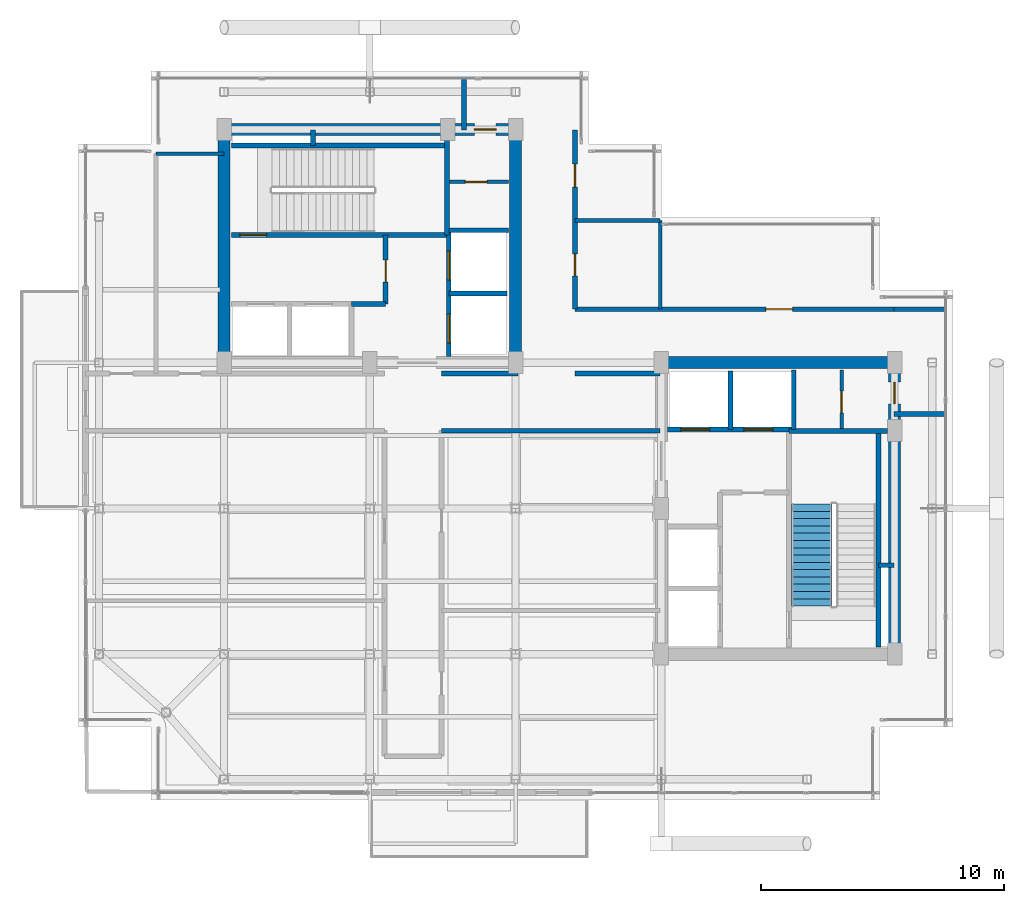
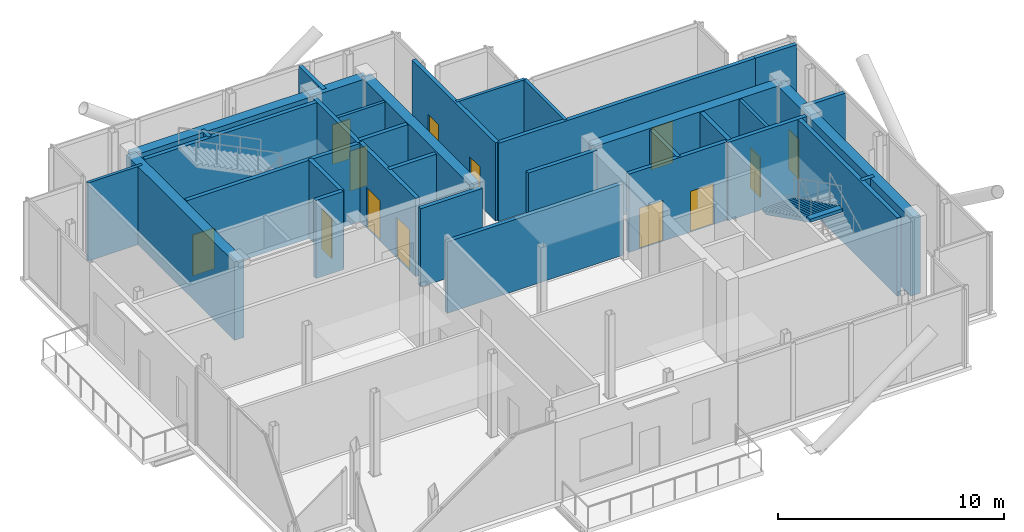
# One storey, part 13 of 16: 33 walls, 13 doors, 1 stair flight, 13 openings, 1 element without a shape of its own.
"""IFC4 building model written with IfcOpenShell, lengths in metres."""

from ifc_helpers import new_model, si_unit, direction, frame, frame_2d, origin, place, context, subcontext, project, spatial, polyline, rectangle, outline, extrude, material, layer, layer_set, type_object, element, fill, aggregate, save


model = new_model("IFC4")

# Units and contexts
model_context = context("Model", 3, precision=1e-05, world=origin(), true_north=direction((0.0, 1.0)))
body_context = subcontext(model_context, "Body", "Model", "MODEL_VIEW")
ifc_project = project(units=[si_unit("LENGTHUNIT", "METRE"), si_unit("AREAUNIT", "SQUARE_METRE"), si_unit("VOLUMEUNIT", "CUBIC_METRE"), si_unit("PLANEANGLEUNIT", "RADIAN"), si_unit("MASSUNIT", "GRAM", prefix="KILO"), si_unit("THERMODYNAMICTEMPERATUREUNIT", "KELVIN"), si_unit("POWERUNIT", "WATT")], contexts=[model_context])

# Site, building, storey
site_placement = place(None, origin())
site = spatial("IfcSite", under=ifc_project, at=site_placement, CompositionType="ELEMENT")
building_placement = place(site_placement, origin())
building = spatial("IfcBuilding", under=site, at=building_placement, Name="Svarakhadi Broadcast Tower", CompositionType="ELEMENT")
storey_placement = place(building_placement, frame((0.0, 0.0, 296.39990234375)))
storey = spatial("IfcBuildingStorey", under=building, at=storey_placement, Name="L75", CompositionType="ELEMENT", Elevation=296.39990234375)

# Walls
ifc_material_1 = material(Name="Concrete C40/50 (IS 456 M50)", Category="concrete")
ifc_layer_1 = layer(ifc_material_1, 0.199951171875)
ifc_layer_set_1 = layer_set([ifc_layer_1], Name="Concrete C40/50 (IS 456 M50)")
wall_type_1 = type_object("IfcWallType", Name="Wall_Fire_200", PredefinedType="SOLIDWALL", material=ifc_layer_set_1)
for number, where, z_axis, x_axis, name in (
    (1, (9.659912109375, 26.93994140625, 0.0), (0.0, 0.0, 1.0), (0.0, 1.0, 0.0), "L75 Wet Riser Shaft East Wall"),
    (2, (32.93994140625, 9.659912109375, 0.0), (0.0, 0.0, 1.0), (1.0, 0.0, 0.0), "L75 HV Busduct Riser Shaft North Wall"),
):
    element("IfcWall", number, at=place(storey_placement, frame(where, z_axis=z_axis, x_axis=x_axis)), inside=storey, type_object=wall_type_1, Name=name, PredefinedType="SOLIDWALL", context=body_context, shape_type="SweptSolid", body=[
        extrude(rectangle(XDim=0.64013671875, YDim=0.199951171875, at=frame_2d((0.320068359375, 0.0))), origin(), (0.0, 0.0, 1.0), 4.22509765625),
    ])
wall_1_placement = place(storey_placement, frame((14.949951171875, 17.550048828125, 0.0), z_axis=(0.0, 0.0, 1.0), x_axis=(1.0, 0.0, 0.0)))
element("IfcWall", 3, at=wall_1_placement, inside=storey, type_object=wall_type_1, Name="L75 Upper Tower Concourse Wall", PredefinedType="SOLIDWALL", context=body_context, shape_type="SweptSolid", body=[
    extrude(rectangle(XDim=3.150146484375, YDim=0.199951171875, at=frame_2d((1.5751953125, 0.0))), origin(), (0.0, 0.0, 1.0), 4.22509765625),
])
wall_2_placement = place(storey_placement, frame((15.8798828125, 27.580078125, 0.0), z_axis=(0.0, 0.0, 1.0), x_axis=(0.0, 1.0, 0.0)))
element("IfcWall", 4, at=wall_2_placement, inside=storey, type_object=wall_type_1, Name="L75 Upper Tower Concourse Wall", PredefinedType="SOLIDWALL", context=body_context, shape_type="SweptSolid", body=[
    extrude(rectangle(XDim=2.119873046875, YDim=0.199951171875, at=frame_2d((1.06005859375, 0.0))), origin(), (0.0, 0.0, 1.0), 4.22509765625),
])

# Wall, openings, doors
wall_3_placement = place(storey_placement, frame((20.449951171875, 27.580078125, 0.0), z_axis=(0.0, 0.0, 1.0), x_axis=(0.0, -1.0, 0.0)))
wall_3 = element("IfcWall", 5, at=wall_3_placement, inside=storey, type_object=wall_type_1, Name="L75 Upper Tower Concourse Wall", PredefinedType="SOLIDWALL", context=body_context, shape_type="SweptSolid", body=[
    extrude(rectangle(XDim=7.380126953125, YDim=0.199951171875, at=frame_2d((3.68994140625, 0.0))), origin(), (0.0, 0.0, 1.0), 4.22509765625),
])
opening_1_placement = place(wall_3_placement, frame((5.10498046875, 0.0, 0.0)))
opening_1 = element("IfcOpeningElement", 6, at=opening_1_placement, cuts=wall_3, Name="Opening D-12", PredefinedType="OPENING", context=body_context, shape_type="SweptSolid", body=[
    extrude(rectangle(XDim=0.89990234375, YDim=2.10009765625, at=frame_2d((0.449951171875, 1.050048828125))), frame((0.0, 0.10986328125, 0.0), z_axis=(0.0, -1.0, 0.0), x_axis=(1.0, 0.0, 0.0)), (0.0, 0.0, 1.0), 0.219970703125),
])
opening_2_placement = place(wall_3_placement, frame((1.405029296875, 0.0, 0.0)))
opening_2 = element("IfcOpeningElement", 7, at=opening_2_placement, cuts=wall_3, Name="Opening D-07", PredefinedType="OPENING", context=body_context, shape_type="SweptSolid", body=[
    extrude(rectangle(XDim=0.949951171875, YDim=2.14990234375, at=frame_2d((0.47509765625, 1.074951171875))), frame((0.0, 0.10986328125, 0.0), z_axis=(0.0, -1.0, 0.0), x_axis=(1.0, 0.0, 0.0)), (0.0, 0.0, 1.0), 0.219970703125),
])
ifc_material_2 = material(Name="Solid-Core Teak Veneer Acoustic Timber Leaf", Category="wood")
door_type_1 = type_object("IfcDoorType", Name="Door_Office_D07", OperationType="SINGLE_SWING_RIGHT", PredefinedType="DOOR", material=ifc_material_2)
door_1_placement = place(opening_2_placement, origin())
door_1 = element("IfcDoor", 8, at=door_1_placement, inside=storey, type_object=door_type_1, Name="L75 Hotel Butler Service Pantry Door", OperationType="SINGLE_SWING_RIGHT", OverallHeight=2.14990234375, OverallWidth=0.949951171875, PredefinedType="DOOR", context=body_context, shape_type="SweptSolid", body=[
    extrude(rectangle(XDim=0.949951171875, YDim=2.14990234375, at=frame_2d((0.47509765625, 1.074951171875))), frame((0.0, 0.02490234375, 0.0), z_axis=(0.0, -1.0, 0.0), x_axis=(1.0, 0.0, 0.0)), (0.0, 0.0, 1.0), 0.050048828125),
])
fill(opening_2, door_1)
door_type_2 = type_object("IfcDoorType", Name="Door_WC_D01", OperationType="SINGLE_SWING_LEFT", PredefinedType="DOOR", material=ifc_material_2)
door_2_placement = place(opening_1_placement, origin())
door_2 = element("IfcDoor", 9, at=door_2_placement, inside=storey, type_object=door_type_2, Name="L75 Accessible Visitor Washroom WC Door", OperationType="SINGLE_SWING_LEFT", OverallHeight=2.10009765625, OverallWidth=0.89990234375, PredefinedType="DOOR", context=body_context, shape_type="SweptSolid", body=[
    extrude(rectangle(XDim=0.89990234375, YDim=2.10009765625, at=frame_2d((0.449951171875, 1.050048828125))), frame((0.0, 0.02490234375, 0.0), z_axis=(0.0, -1.0, 0.0), x_axis=(1.0, 0.0, 0.0)), (0.0, 0.0, 1.0), 0.050048828125),
])
fill(opening_1, door_2)

# Wall, opening, door
wall_4_placement = place(storey_placement, frame((20.449951171875, 20.199951171875, 0.0), z_axis=(0.0, 0.0, 1.0), x_axis=(1.0, 0.0, 0.0)))
wall_4 = element("IfcWall", 10, at=wall_4_placement, inside=storey, type_object=wall_type_1, Name="L75 Upper Tower Concourse Wall", PredefinedType="SOLIDWALL", context=body_context, shape_type="SweptSolid", body=[
    extrude(rectangle(XDim=13.130126953125, YDim=0.199951171875, at=frame_2d((6.56494140625, 0.0))), origin(), (0.0, 0.0, 1.0), 4.22509765625),
])
opening_3_placement = place(wall_4_placement, frame((7.85009765625, 0.0, 0.0)))
opening_3 = element("IfcOpeningElement", 11, at=opening_3_placement, cuts=wall_4, Name="Opening D-10", PredefinedType="OPENING", context=body_context, shape_type="SweptSolid", body=[
    extrude(rectangle(XDim=1.10009765625, YDim=2.25, at=frame_2d((0.550048828125, 1.125))), frame((0.0, 0.10986328125, 0.0), z_axis=(0.0, -1.0, 0.0), x_axis=(1.0, 0.0, 0.0)), (0.0, 0.0, 1.0), 0.219970703125),
])
door_type_3 = type_object("IfcDoorType", Name="Door_Acoust_D10", OperationType="SINGLE_SWING_LEFT", PredefinedType="DOOR", material=ifc_material_2)
door_3_placement = place(opening_3_placement, origin())
door_3 = element("IfcDoor", 12, at=door_3_placement, inside=storey, type_object=door_type_3, Name="L75 Harbour Sky Club Reading Room Door", OperationType="SINGLE_SWING_LEFT", OverallHeight=2.25, OverallWidth=1.10009765625, PredefinedType="DOOR", context=body_context, shape_type="SweptSolid", body=[
    extrude(rectangle(XDim=1.10009765625, YDim=2.25, at=frame_2d((0.550048828125, 1.125))), frame((0.0, 0.02490234375, 0.0), z_axis=(0.0, -1.0, 0.0), x_axis=(1.0, 0.0, 0.0)), (0.0, 0.0, 1.0), 0.050048828125),
])
fill(opening_3, door_3)

# Walls
for number, where, z_axis, x_axis, name in (
    (13, (33.580078125, 20.199951171875, 0.0), (0.0, 0.0, 1.0), (1.0, 0.0, 0.0), "L75 Upper Tower Concourse Wall"),
    (14, (35.699951171875, 15.8798828125, 0.0), (0.0, 0.0, 1.0), (-1.0, 0.0, 0.0), "L75 Upper Tower Concourse Wall"),
):
    element("IfcWall", number, at=place(storey_placement, frame(where, z_axis=z_axis, x_axis=x_axis)), inside=storey, type_object=wall_type_1, Name=name, PredefinedType="SOLIDWALL", context=body_context, shape_type="SweptSolid", body=[
        extrude(rectangle(XDim=2.119873046875, YDim=0.199951171875, at=frame_2d((1.06005859375, 0.0))), origin(), (0.0, 0.0, 1.0), 4.22509765625),
    ])
wall_5_placement = place(storey_placement, frame((20.449951171875, 17.550048828125, 0.0), z_axis=(0.0, 0.0, 1.0), x_axis=(1.0, 0.0, 0.0)))
element("IfcWall", 15, at=wall_5_placement, inside=storey, type_object=wall_type_1, Name="L75 Upper Tower Concourse Wall", PredefinedType="SOLIDWALL", context=body_context, shape_type="SweptSolid", body=[
    extrude(rectangle(XDim=3.5, YDim=0.199951171875, at=frame_2d((1.75, 0.0))), origin(), (0.0, 0.0, 1.0), 4.22509765625),
])
wall_6_placement = place(storey_placement, frame((23.949951171875, 15.199951171875, 0.0), z_axis=(0.0, 0.0, 1.0), x_axis=(-1.0, 0.0, 0.0)))
element("IfcWall", 16, at=wall_6_placement, inside=storey, type_object=wall_type_1, Name="L75 Upper Tower Concourse Wall", PredefinedType="SOLIDWALL", context=body_context, shape_type="SweptSolid", body=[
    extrude(rectangle(XDim=9.0, YDim=0.199951171875, at=frame_2d((4.5, 0.0))), origin(), (0.0, 0.0, 1.0), 3.857177734375),
])

# Wall, opening, door
ifc_material_3 = material(Name="Autoclaved Aerated Concrete Blockwork 150 mm", Category="masonry")
ifc_layer_2 = layer(ifc_material_3, 0.14990234375)
ifc_layer_set_2 = layer_set([ifc_layer_2], Name="Autoclaved Aerated Concrete Blockwork 150 mm")
wall_type_2 = type_object("IfcWallType", Name="Wall_Part_150", PredefinedType="PARTITIONING", material=ifc_layer_set_2)
wall_7_placement = place(storey_placement, frame((15.280029296875, 25.43994140625, 0.0), z_axis=(0.0, 0.0, 1.0), x_axis=(1.0, 0.0, 0.0)))
wall_7 = element("IfcWall", 17, at=wall_7_placement, inside=storey, type_object=wall_type_2, Name="L75 West Core Dual Store Wall", PredefinedType="PARTITIONING", context=body_context, shape_type="SweptSolid", body=[
    extrude(rectangle(XDim=2.419921875, YDim=0.14990234375, at=frame_2d((1.2099609375, 0.0))), origin(), (0.0, 0.0, 1.0), 4.22509765625),
])
opening_4_placement = place(wall_7_placement, frame((0.64990234375, 0.0, 0.0)))
opening_4 = element("IfcOpeningElement", 18, at=opening_4_placement, cuts=wall_7, Name="Opening D-03", PredefinedType="OPENING", context=body_context, shape_type="SweptSolid", body=[
    extrude(rectangle(XDim=0.89990234375, YDim=2.14990234375, at=frame_2d((0.449951171875, 1.074951171875))), frame((0.0, 0.0849609375, 0.0), z_axis=(0.0, -1.0, 0.0), x_axis=(1.0, 0.0, 0.0)), (0.0, 0.0, 1.0), 0.169921875),
])
ifc_material_4 = material(Name="Galvanised Powder-Coated Fire-Rated Steel Leaf", Category="steel")
door_type_4 = type_object("IfcDoorType", Name="Door_Fire_D03", OperationType="SINGLE_SWING_LEFT", PredefinedType="DOOR", material=ifc_material_4)
door_4_placement = place(opening_4_placement, origin())
door_4 = element("IfcDoor", 19, at=door_4_placement, inside=storey, type_object=door_type_4, Name="L75 West Core Store B Door", OperationType="SINGLE_SWING_LEFT", OverallHeight=2.14990234375, OverallWidth=0.89990234375, PredefinedType="DOOR", context=body_context, shape_type="SweptSolid", body=[
    extrude(rectangle(XDim=0.89990234375, YDim=2.14990234375, at=frame_2d((0.449951171875, 1.074951171875))), frame((0.0, 0.02490234375, 0.0), z_axis=(0.0, -1.0, 0.0), x_axis=(1.0, 0.0, 0.0)), (0.0, 0.0, 1.0), 0.050048828125),
])
fill(opening_4, door_4)

wall_8_placement = place(storey_placement, frame((31.419921875, 15.280029296875, 0.0), z_axis=(0.0, 0.0, 1.0), x_axis=(0.0, 1.0, 0.0)))
wall_8 = element("IfcWall", 20, at=wall_8_placement, inside=storey, type_object=wall_type_2, Name="L75 East Core Dual Store Wall", PredefinedType="PARTITIONING", context=body_context, shape_type="SweptSolid", body=[
    extrude(rectangle(XDim=2.419921875, YDim=0.14990234375, at=frame_2d((1.2099609375, 0.0))), origin(), (0.0, 0.0, 1.0), 4.22509765625),
])
opening_5_placement = place(wall_8_placement, frame((0.64990234375, 0.0, 0.0)))
opening_5 = element("IfcOpeningElement", 21, at=opening_5_placement, cuts=wall_8, Name="Opening D-04", PredefinedType="OPENING", context=body_context, shape_type="SweptSolid", body=[
    extrude(rectangle(XDim=0.89990234375, YDim=2.14990234375, at=frame_2d((0.449951171875, 1.074951171875))), frame((0.0, 0.0849609375, 0.0), z_axis=(0.0, -1.0, 0.0), x_axis=(1.0, 0.0, 0.0)), (0.0, 0.0, 1.0), 0.169921875),
])
door_type_5 = type_object("IfcDoorType", Name="Door_Fire_D04", OperationType="SINGLE_SWING_RIGHT", PredefinedType="DOOR", material=ifc_material_4)
door_5_placement = place(opening_5_placement, origin())
door_5 = element("IfcDoor", 22, at=door_5_placement, inside=storey, type_object=door_type_5, Name="L75 East Core Store B Door", OperationType="SINGLE_SWING_RIGHT", OverallHeight=2.14990234375, OverallWidth=0.89990234375, PredefinedType="DOOR", context=body_context, shape_type="SweptSolid", body=[
    extrude(rectangle(XDim=0.89990234375, YDim=2.14990234375, at=frame_2d((0.449951171875, 1.074951171875))), frame((0.0, 0.02490234375, 0.0), z_axis=(0.0, -1.0, 0.0), x_axis=(1.0, 0.0, 0.0)), (0.0, 0.0, 1.0), 0.050048828125),
])
fill(opening_5, door_5)

# Walls
wall_9_placement = place(storey_placement, frame((20.449951171875, 23.85009765625, 0.0), z_axis=(0.0, 0.0, 1.0), x_axis=(1.0, 0.0, 0.0)))
element("IfcWall", 23, at=wall_9_placement, inside=storey, type_object=wall_type_2, Name="L75 Accessible Visitor Washroom WC Wall", PredefinedType="PARTITIONING", context=body_context, shape_type="SweptSolid", body=[
    extrude(rectangle(XDim=3.5, YDim=0.14990234375, at=frame_2d((1.75, 0.0))), origin(), (0.0, 0.0, 1.0), 4.22509765625),
])
wall_10_placement = place(storey_placement, frame((23.949951171875, 20.199951171875, 0.0), z_axis=(0.0, 0.0, 1.0), x_axis=(0.0, 1.0, 0.0)))
element("IfcWall", 24, at=wall_10_placement, inside=storey, type_object=wall_type_2, Name="L75 Accessible Visitor Washroom WC Wall", PredefinedType="PARTITIONING", context=body_context, shape_type="SweptSolid", body=[
    extrude(rectangle(XDim=3.650146484375, YDim=0.14990234375, at=frame_2d((1.8251953125, 0.0))), origin(), (0.0, 0.0, 1.0), 4.22509765625),
])
wall_11_placement = place(storey_placement, frame((3.199951171875, 26.60009765625, 0.0), z_axis=(0.0, 0.0, 1.0), x_axis=(1.0, 0.0, 0.0)))
element("IfcWall", 25, at=wall_11_placement, inside=storey, type_object=wall_type_2, Name="L75 Accessible Crown Washroom WC Wall", PredefinedType="PARTITIONING", context=body_context, shape_type="SweptSolid", body=[
    extrude(rectangle(XDim=2.800048828125, YDim=0.14990234375, at=frame_2d((1.39990234375, 0.0))), origin(), (0.0, 0.0, 1.0), 4.22509765625),
])

# Wall, opening, door
ifc_material_5 = material(Name="Concrete C50/60 (IS 456 M60)", Category="concrete")
ifc_layer_3 = layer(ifc_material_5, 0.199951171875)
ifc_layer_set_3 = layer_set([ifc_layer_3], Name="Concrete C50/60 (IS 456 M60)")
wall_type_3 = type_object("IfcWallType", Name="Wall_Shear_200", PredefinedType="SHEAR", material=ifc_layer_set_3)
wall_12_placement = place(storey_placement, frame((6.300048828125, 23.260009765625, 0.0), z_axis=(0.0, 0.0, 1.0), x_axis=(1.0, 0.0, 0.0)))
wall_12 = element("IfcWall", 26, at=wall_12_placement, inside=storey, type_object=wall_type_3, Name="L75 Stair ST-01 South RC Shaft Wall", PredefinedType="SHEAR", context=body_context, shape_type="SweptSolid", body=[
    extrude(rectangle(XDim=8.8798828125, YDim=0.199951171875, at=frame_2d((4.43994140625, 0.0))), origin(), (0.0, 0.0, 1.0), 4.22509765625),
])
opening_6_placement = place(wall_12_placement, frame((0.35009765625, 0.0, 0.0)))
opening_6 = element("IfcOpeningElement", 27, at=opening_6_placement, cuts=wall_12, Name="Opening D-01", PredefinedType="OPENING", context=body_context, shape_type="SweptSolid", body=[
    extrude(rectangle(XDim=1.10009765625, YDim=2.199951171875, at=frame_2d((0.550048828125, 1.10009765625))), frame((0.0, 0.10986328125, 0.0), z_axis=(0.0, -1.0, 0.0), x_axis=(1.0, 0.0, 0.0)), (0.0, 0.0, 1.0), 0.219970703125),
])
door_type_6 = type_object("IfcDoorType", Name="Door_Stair_D01", OperationType="SINGLE_SWING_LEFT", PredefinedType="DOOR", material=ifc_material_4)
door_6_placement = place(opening_6_placement, origin())
door_6 = element("IfcDoor", 28, at=door_6_placement, inside=storey, type_object=door_type_6, Name="L75 Protected Exit Stair ST-01 Fire Door", OperationType="SINGLE_SWING_LEFT", OverallHeight=2.199951171875, OverallWidth=1.10009765625, PredefinedType="DOOR", context=body_context, shape_type="SweptSolid", body=[
    extrude(rectangle(XDim=1.10009765625, YDim=2.199951171875, at=frame_2d((0.550048828125, 1.10009765625))), frame((0.0, 0.02490234375, 0.0), z_axis=(0.0, -1.0, 0.0), x_axis=(1.0, 0.0, 0.0)), (0.0, 0.0, 1.0), 0.050048828125),
])
fill(opening_6, door_6)

# Walls
wall_13_placement = place(storey_placement, frame((6.300048828125, 26.93994140625, 0.0), z_axis=(0.0, 0.0, 1.0), x_axis=(1.0, 0.0, 0.0)))
element("IfcWall", 29, at=wall_13_placement, inside=storey, type_object=wall_type_3, Name="L75 Stair ST-01 North RC Shaft Wall", PredefinedType="SHEAR", context=body_context, shape_type="SweptSolid", body=[
    extrude(rectangle(XDim=8.8798828125, YDim=0.199951171875, at=frame_2d((4.43994140625, 0.0))), origin(), (0.0, 0.0, 1.0), 4.22509765625),
])
wall_14_placement = place(storey_placement, frame((15.179931640625, 23.260009765625, 0.0), z_axis=(0.0, 0.0, 1.0), x_axis=(0.0, 1.0, 0.0)))
element("IfcWall", 30, at=wall_14_placement, inside=storey, type_object=wall_type_3, Name="L75 Stair ST-01 East RC Shaft Wall", PredefinedType="SHEAR", context=body_context, shape_type="SweptSolid", body=[
    extrude(rectangle(XDim=4.0400390625, YDim=0.199951171875, at=frame_2d((2.02001953125, 0.0))), origin(), (0.0, 0.0, 1.0), 4.22509765625),
])
wall_15_placement = place(storey_placement, frame((32.93994140625, 6.300048828125, 0.0), z_axis=(0.0, 0.0, 1.0), x_axis=(0.0, 1.0, 0.0)))
element("IfcWall", 31, at=wall_15_placement, inside=storey, type_object=wall_type_3, Name="L75 Stair ST-02 East RC Shaft Wall", PredefinedType="SHEAR", context=body_context, shape_type="SweptSolid", body=[
    extrude(rectangle(XDim=8.8798828125, YDim=0.199951171875, at=frame_2d((4.43994140625, 0.0))), origin(), (0.0, 0.0, 1.0), 4.22509765625),
])
wall_16_placement = place(storey_placement, frame((29.260009765625, 15.179931640625, 0.0), z_axis=(0.0, 0.0, 1.0), x_axis=(1.0, 0.0, 0.0)))
element("IfcWall", 32, at=wall_16_placement, inside=storey, type_object=wall_type_3, Name="L75 Stair ST-02 North RC Shaft Wall", PredefinedType="SHEAR", context=body_context, shape_type="SweptSolid", body=[
    extrude(rectangle(XDim=4.0400390625, YDim=0.199951171875, at=frame_2d((2.02001953125, 0.0))), origin(), (0.0, 0.0, 1.0), 4.22509765625),
])
wall_17_placement = place(storey_placement, frame((11.25, 20.419921875, 0.0), z_axis=(0.0, 0.0, 1.0), x_axis=(1.0, 0.0, 0.0)))
element("IfcWall", 33, at=wall_17_placement, inside=storey, type_object=wall_type_3, Name="L75 West Firefighting Lobby South Wall", PredefinedType="SHEAR", context=body_context, shape_type="SweptSolid", body=[
    extrude(rectangle(XDim=1.39990234375, YDim=0.199951171875, at=frame_2d((0.699951171875, 0.0))), origin(), (0.0, 0.0, 1.0), 4.22509765625),
])

# Wall, opening, door
wall_18_placement = place(storey_placement, frame((12.64990234375, 20.419921875, 0.0), z_axis=(0.0, 0.0, 1.0), x_axis=(0.0, 1.0, 0.0)))
wall_18 = element("IfcWall", 34, at=wall_18_placement, inside=storey, type_object=wall_type_3, Name="L75 West Firefighting Lobby East Wall", PredefinedType="SHEAR", context=body_context, shape_type="SweptSolid", body=[
    extrude(rectangle(XDim=2.840087890625, YDim=0.199951171875, at=frame_2d((1.419921875, 0.0))), origin(), (0.0, 0.0, 1.0), 4.22509765625),
])
opening_7_placement = place(wall_18_placement, frame((0.89990234375, 0.0, 0.0)))
opening_7 = element("IfcOpeningElement", 35, at=opening_7_placement, cuts=wall_18, Name="Opening D-03", PredefinedType="OPENING", context=body_context, shape_type="SweptSolid", body=[
    extrude(rectangle(XDim=0.89990234375, YDim=2.14990234375, at=frame_2d((0.449951171875, 1.074951171875))), frame((0.0, 0.10986328125, 0.0), z_axis=(0.0, -1.0, 0.0), x_axis=(1.0, 0.0, 0.0)), (0.0, 0.0, 1.0), 0.219970703125),
])
door_7_placement = place(opening_7_placement, origin())
door_7 = element("IfcDoor", 36, at=door_7_placement, inside=storey, type_object=door_type_4, Name="L75 West Firefighting Lobby Fire Door", OperationType="SINGLE_SWING_LEFT", OverallHeight=2.14990234375, OverallWidth=0.89990234375, PredefinedType="DOOR", context=body_context, shape_type="SweptSolid", body=[
    extrude(rectangle(XDim=0.89990234375, YDim=2.14990234375, at=frame_2d((0.449951171875, 1.074951171875))), frame((0.0, 0.02490234375, 0.0), z_axis=(0.0, -1.0, 0.0), x_axis=(1.0, 0.0, 0.0)), (0.0, 0.0, 1.0), 0.050048828125),
])
fill(opening_7, door_7)

# Wall, openings, doors
wall_19_placement = place(storey_placement, frame((15.25, 18.25, 0.0), z_axis=(0.0, 0.0, 1.0), x_axis=(0.0, 1.0, 0.0)))
wall_19 = element("IfcWall", 37, at=wall_19_placement, inside=storey, type_object=wall_type_3, Name="L75 High-Rise Lift LF-13/14 West Shaft Wall", PredefinedType="SHEAR", context=body_context, shape_type="SweptSolid", body=[
    extrude(rectangle(XDim=5.199951171875, YDim=0.199951171875, at=frame_2d((2.60009765625, 0.0))), origin(), (0.0, 0.0, 1.0), 4.22509765625),
])
opening_8_placement = place(wall_19_placement, frame((0.550048828125, 0.0, 0.0)))
opening_8 = element("IfcOpeningElement", 38, at=opening_8_placement, cuts=wall_19, Name="Opening LD-02", PredefinedType="OPENING", context=body_context, shape_type="SweptSolid", body=[
    extrude(rectangle(XDim=1.199951171875, YDim=2.199951171875, at=frame_2d((0.60009765625, 1.10009765625))), frame((0.0, 0.10986328125, 0.0), z_axis=(0.0, -1.0, 0.0), x_axis=(1.0, 0.0, 0.0)), (0.0, 0.0, 1.0), 0.219970703125),
])
opening_9_placement = place(wall_19_placement, frame((3.14990234375, 0.0, 0.0)))
opening_9 = element("IfcOpeningElement", 39, at=opening_9_placement, cuts=wall_19, Name="Opening LD-02", PredefinedType="OPENING", context=body_context, shape_type="SweptSolid", body=[
    extrude(rectangle(XDim=1.199951171875, YDim=2.199951171875, at=frame_2d((0.60009765625, 1.10009765625))), frame((0.0, 0.10986328125, 0.0), z_axis=(0.0, -1.0, 0.0), x_axis=(1.0, 0.0, 0.0)), (0.0, 0.0, 1.0), 0.219970703125),
])
door_type_7 = type_object("IfcDoorType", Name="Door_Lift_LD02", OperationType="SLIDING_TO_RIGHT", PredefinedType="DOOR", material=ifc_material_4)
door_8_placement = place(opening_8_placement, origin())
door_8 = element("IfcDoor", 40, at=door_8_placement, inside=storey, type_object=door_type_7, Name="L75 High-Rise Lift LF-13 Landing Door", OperationType="SLIDING_TO_RIGHT", OverallHeight=2.199951171875, OverallWidth=1.199951171875, PredefinedType="DOOR", context=body_context, shape_type="SweptSolid", body=[
    extrude(rectangle(XDim=1.199951171875, YDim=2.199951171875, at=frame_2d((0.60009765625, 1.10009765625))), frame((0.0, 0.02490234375, 0.0), z_axis=(0.0, -1.0, 0.0), x_axis=(1.0, 0.0, 0.0)), (0.0, 0.0, 1.0), 0.050048828125),
])
fill(opening_8, door_8)
door_9_placement = place(opening_9_placement, origin())
door_9 = element("IfcDoor", 41, at=door_9_placement, inside=storey, type_object=door_type_7, Name="L75 High-Rise Lift LF-14 Landing Door", OperationType="SLIDING_TO_RIGHT", OverallHeight=2.199951171875, OverallWidth=1.199951171875, PredefinedType="DOOR", context=body_context, shape_type="SweptSolid", body=[
    extrude(rectangle(XDim=1.199951171875, YDim=2.199951171875, at=frame_2d((0.60009765625, 1.10009765625))), frame((0.0, 0.02490234375, 0.0), z_axis=(0.0, -1.0, 0.0), x_axis=(1.0, 0.0, 0.0)), (0.0, 0.0, 1.0), 0.050048828125),
])
fill(opening_9, door_9)

# Walls
wall_20_placement = place(storey_placement, frame((15.25, 20.85009765625, 0.0), z_axis=(0.0, 0.0, 1.0), x_axis=(1.0, 0.0, 0.0)))
element("IfcWall", 42, at=wall_20_placement, inside=storey, type_object=wall_type_3, Name="L75 High-Rise Lift LF-13/14 Divider", PredefinedType="SHEAR", context=body_context, shape_type="SweptSolid", body=[
    extrude(rectangle(XDim=2.39990234375, YDim=0.199951171875, at=frame_2d((1.199951171875, 0.0))), origin(), (0.0, 0.0, 1.0), 4.22509765625),
])
wall_21_placement = place(storey_placement, frame((15.25, 23.449951171875, 0.0), z_axis=(0.0, 0.0, 1.0), x_axis=(1.0, 0.0, 0.0)))
element("IfcWall", 43, at=wall_21_placement, inside=storey, type_object=wall_type_3, Name="L75 High-Rise Lift LF-13/14 North Wall", PredefinedType="SHEAR", context=body_context, shape_type="SweptSolid", body=[
    extrude(rectangle(XDim=2.449951171875, YDim=0.199951171875, at=frame_2d((1.22509765625, 0.0))), origin(), (0.0, 0.0, 1.0), 4.22509765625),
])

# Wall, openings, doors
wall_22_placement = place(storey_placement, frame((24.25, 15.25, 0.0), z_axis=(0.0, 0.0, 1.0), x_axis=(1.0, 0.0, 0.0)))
wall_22 = element("IfcWall", 44, at=wall_22_placement, inside=storey, type_object=wall_type_3, Name="L75 High-Rise Lift LF-15/16 South Shaft Wall", PredefinedType="SHEAR", context=body_context, shape_type="SweptSolid", body=[
    extrude(rectangle(XDim=5.199951171875, YDim=0.199951171875, at=frame_2d((2.60009765625, 0.0))), origin(), (0.0, 0.0, 1.0), 4.22509765625),
])
opening_10_placement = place(wall_22_placement, frame((0.550048828125, 0.0, 0.0)))
opening_10 = element("IfcOpeningElement", 45, at=opening_10_placement, cuts=wall_22, Name="Opening LD-02", PredefinedType="OPENING", context=body_context, shape_type="SweptSolid", body=[
    extrude(rectangle(XDim=1.199951171875, YDim=2.199951171875, at=frame_2d((0.60009765625, 1.10009765625))), frame((0.0, 0.10986328125, 0.0), z_axis=(0.0, -1.0, 0.0), x_axis=(1.0, 0.0, 0.0)), (0.0, 0.0, 1.0), 0.219970703125),
])
opening_11_placement = place(wall_22_placement, frame((3.14990234375, 0.0, 0.0)))
opening_11 = element("IfcOpeningElement", 46, at=opening_11_placement, cuts=wall_22, Name="Opening LD-02", PredefinedType="OPENING", context=body_context, shape_type="SweptSolid", body=[
    extrude(rectangle(XDim=1.199951171875, YDim=2.199951171875, at=frame_2d((0.60009765625, 1.10009765625))), frame((0.0, 0.10986328125, 0.0), z_axis=(0.0, -1.0, 0.0), x_axis=(1.0, 0.0, 0.0)), (0.0, 0.0, 1.0), 0.219970703125),
])
door_10_placement = place(opening_10_placement, origin())
door_10 = element("IfcDoor", 47, at=door_10_placement, inside=storey, type_object=door_type_7, Name="L75 High-Rise Lift LF-15 Landing Door", OperationType="SLIDING_TO_RIGHT", OverallHeight=2.199951171875, OverallWidth=1.199951171875, PredefinedType="DOOR", context=body_context, shape_type="SweptSolid", body=[
    extrude(rectangle(XDim=1.199951171875, YDim=2.199951171875, at=frame_2d((0.60009765625, 1.10009765625))), frame((0.0, 0.02490234375, 0.0), z_axis=(0.0, -1.0, 0.0), x_axis=(1.0, 0.0, 0.0)), (0.0, 0.0, 1.0), 0.050048828125),
])
fill(opening_10, door_10)
door_11_placement = place(opening_11_placement, origin())
door_11 = element("IfcDoor", 48, at=door_11_placement, inside=storey, type_object=door_type_7, Name="L75 High-Rise Lift LF-16 Landing Door", OperationType="SLIDING_TO_RIGHT", OverallHeight=2.199951171875, OverallWidth=1.199951171875, PredefinedType="DOOR", context=body_context, shape_type="SweptSolid", body=[
    extrude(rectangle(XDim=1.199951171875, YDim=2.199951171875, at=frame_2d((0.60009765625, 1.10009765625))), frame((0.0, 0.02490234375, 0.0), z_axis=(0.0, -1.0, 0.0), x_axis=(1.0, 0.0, 0.0)), (0.0, 0.0, 1.0), 0.050048828125),
])
fill(opening_11, door_11)

# Walls
wall_23_placement = place(storey_placement, frame((26.85009765625, 15.25, 0.0), z_axis=(0.0, 0.0, 1.0), x_axis=(0.0, 1.0, 0.0)))
element("IfcWall", 49, at=wall_23_placement, inside=storey, type_object=wall_type_3, Name="L75 High-Rise Lift LF-15/16 Divider", PredefinedType="SHEAR", context=body_context, shape_type="SweptSolid", body=[
    extrude(rectangle(XDim=2.39990234375, YDim=0.199951171875, at=frame_2d((1.199951171875, 0.0))), origin(), (0.0, 0.0, 1.0), 4.22509765625),
])
wall_24_placement = place(storey_placement, frame((29.449951171875, 15.25, 0.0), z_axis=(0.0, 0.0, 1.0), x_axis=(0.0, 1.0, 0.0)))
element("IfcWall", 50, at=wall_24_placement, inside=storey, type_object=wall_type_3, Name="L75 High-Rise Lift LF-15/16 East Wall", PredefinedType="SHEAR", context=body_context, shape_type="SweptSolid", body=[
    extrude(rectangle(XDim=2.449951171875, YDim=0.199951171875, at=frame_2d((1.22509765625, 0.0))), origin(), (0.0, 0.0, 1.0), 4.22509765625),
])

# Wall, opening, door
ifc_layer_4 = layer(ifc_material_5, 0.5)
ifc_layer_set_4 = layer_set([ifc_layer_4], Name="Concrete C50/60 (IS 456 M60)")
wall_type_4 = type_object("IfcWallType", Name="Wall_Shear_500", PredefinedType="SHEAR", material=ifc_layer_set_4)
wall_25_placement = place(storey_placement, frame((6.0, 27.60009765625, 0.0), z_axis=(0.0, 0.0, 1.0), x_axis=(1.0, 0.0, 0.0)))
wall_25 = element("IfcWall", 51, at=wall_25_placement, inside=storey, type_object=wall_type_4, Name="L75 West Core North Shear Wall", PredefinedType="SHEAR", context=body_context, shape_type="SweptSolid", body=[
    extrude(rectangle(XDim=12.0, YDim=0.5, at=frame_2d((6.0, 0.0))), origin(), (0.0, 0.0, 1.0), 4.22509765625),
])
opening_12_placement = place(wall_25_placement, frame((10.300048828125, 0.0, 0.0)))
opening_12 = element("IfcOpeningElement", 52, at=opening_12_placement, cuts=wall_25, Name="Opening D-03", PredefinedType="OPENING", context=body_context, shape_type="SweptSolid", body=[
    extrude(rectangle(XDim=0.89990234375, YDim=2.14990234375, at=frame_2d((0.449951171875, 1.074951171875))), frame((0.0, 0.260009765625, 0.0), z_axis=(0.0, -1.0, 0.0), x_axis=(1.0, 0.0, 0.0)), (0.0, 0.0, 1.0), 0.52001953125),
])
door_12_placement = place(opening_12_placement, origin())
door_12 = element("IfcDoor", 53, at=door_12_placement, inside=storey, type_object=door_type_4, Name="L75 West Core Store A Door", OperationType="SINGLE_SWING_LEFT", OverallHeight=2.14990234375, OverallWidth=0.89990234375, PredefinedType="DOOR", context=body_context, shape_type="SweptSolid", body=[
    extrude(rectangle(XDim=0.89990234375, YDim=2.14990234375, at=frame_2d((0.449951171875, 1.074951171875))), frame((0.0, 0.02490234375, 0.0), z_axis=(0.0, -1.0, 0.0), x_axis=(1.0, 0.0, 0.0)), (0.0, 0.0, 1.0), 0.050048828125),
])
fill(opening_12, door_12)

# Walls
for number, where, z_axis, x_axis, name in (
    (54, (6.0, 18.0, 0.0), (0.0, 0.0, 1.0), (0.0, 1.0, 0.0), "L75 West Core West Shear Wall"),
    (55, (18.0, 18.0, 0.0), (0.0, 0.0, 1.0), (0.0, 1.0, 0.0), "L75 West Core East Shear Wall"),
    (56, (24.0, 18.0, 0.0), (0.0, 0.0, 1.0), (1.0, 0.0, 0.0), "L75 East Core North Shear Wall"),
):
    element("IfcWall", number, at=place(storey_placement, frame(where, z_axis=z_axis, x_axis=x_axis)), inside=storey, type_object=wall_type_4, Name=name, PredefinedType="SHEAR", context=body_context, shape_type="SweptSolid", body=[
        extrude(rectangle(XDim=9.60009765625, YDim=0.5, at=frame_2d((4.800048828125, 0.0))), origin(), (0.0, 0.0, 1.0), 4.22509765625),
    ])

# Wall, opening, door
wall_26_placement = place(storey_placement, frame((33.60009765625, 6.0, 0.0), z_axis=(0.0, 0.0, 1.0), x_axis=(0.0, 1.0, 0.0)))
wall_26 = element("IfcWall", 57, at=wall_26_placement, inside=storey, type_object=wall_type_4, Name="L75 East Core East Shear Wall", PredefinedType="SHEAR", context=body_context, shape_type="SweptSolid", body=[
    extrude(rectangle(XDim=12.0, YDim=0.5, at=frame_2d((6.0, 0.0))), origin(), (0.0, 0.0, 1.0), 4.22509765625),
])
opening_13_placement = place(wall_26_placement, frame((10.300048828125, 0.0, 0.0)))
opening_13 = element("IfcOpeningElement", 58, at=opening_13_placement, cuts=wall_26, Name="Opening D-03", PredefinedType="OPENING", context=body_context, shape_type="SweptSolid", body=[
    extrude(rectangle(XDim=0.89990234375, YDim=2.14990234375, at=frame_2d((0.449951171875, 1.074951171875))), frame((0.0, 0.260009765625, 0.0), z_axis=(0.0, -1.0, 0.0), x_axis=(1.0, 0.0, 0.0)), (0.0, 0.0, 1.0), 0.52001953125),
])
door_13_placement = place(opening_13_placement, origin())
door_13 = element("IfcDoor", 59, at=door_13_placement, inside=storey, type_object=door_type_4, Name="L75 East Core Store A Door", OperationType="SINGLE_SWING_LEFT", OverallHeight=2.14990234375, OverallWidth=0.89990234375, PredefinedType="DOOR", context=body_context, shape_type="SweptSolid", body=[
    extrude(rectangle(XDim=0.89990234375, YDim=2.14990234375, at=frame_2d((0.449951171875, 1.074951171875))), frame((0.0, 0.02490234375, 0.0), z_axis=(0.0, -1.0, 0.0), x_axis=(1.0, 0.0, 0.0)), (0.0, 0.0, 1.0), 0.050048828125),
])
fill(opening_13, door_13)

# Stair, stair flight
stair_type = type_object("IfcStairType", Name="Stair_Exit_Core", PredefinedType="HALF_TURN_STAIR", material=ifc_material_1)
stair_placement = place(storey_placement, origin())
stair = element("IfcStair", 60, at=stair_placement, inside=storey, type_object=stair_type, Name="L75 East Core Protected Exit Stair ST-02", PredefinedType="HALF_TURN_STAIR")
stair_flight_type = type_object("IfcStairFlightType", Name="Flight_RC_1680", PredefinedType="STRAIGHT", material=ifc_material_1)
stair_flight_placement = place(storey_placement, frame((30.18994140625, 12.179931640625, 2.25), z_axis=(0.0, 0.0, 1.0), x_axis=(0.0, -1.0, 0.0)))
stair_flight = element("IfcStairFlight", 61, at=stair_flight_placement, type_object=stair_flight_type, Name="ST-02 flight 2", NumberOfRisers=15, NumberOfTreads=14, PredefinedType="STRAIGHT", RiserHeight=0.15, TreadLength=0.3, context=body_context, shape_type="SweptSolid", body=[
    extrude(outline(polyline([(0.0, 0.0), (0.0, 0.14990234375), (0.300048828125, 0.14990234375), (0.300048828125, 0.300048828125), (0.60009765625, 0.300048828125), (0.60009765625, 0.449951171875), (0.89990234375, 0.449951171875), (0.89990234375, 0.60009765625), (1.199951171875, 0.60009765625), (1.199951171875, 0.75), (1.5, 0.75), (1.5, 0.89990234375), (1.800048828125, 0.89990234375), (1.800048828125, 1.050048828125), (2.10009765625, 1.050048828125), (2.10009765625, 1.199951171875), (2.39990234375, 1.199951171875), (2.39990234375, 1.35009765625), (2.699951171875, 1.35009765625), (2.699951171875, 1.5), (3.0, 1.5), (3.0, 1.64990234375), (3.300048828125, 1.64990234375), (3.300048828125, 1.800048828125), (3.60009765625, 1.800048828125), (3.60009765625, 1.949951171875), (3.89990234375, 1.949951171875), (3.89990234375, 2.10009765625), (4.199951171875, 2.10009765625), (4.199951171875, 2.25), (4.199951171875, 1.932373046875), (0.335205078125, 0.0), (0.0, 0.0)])), frame((0.0, 0.830078125, 0.0), z_axis=(0.0, -1.0, 0.0), x_axis=(1.0, 0.0, 0.0)), (0.0, 0.0, 1.0), 1.659912109375),
])
aggregate(stair, [stair_flight])

save(model, "model.ifc")
